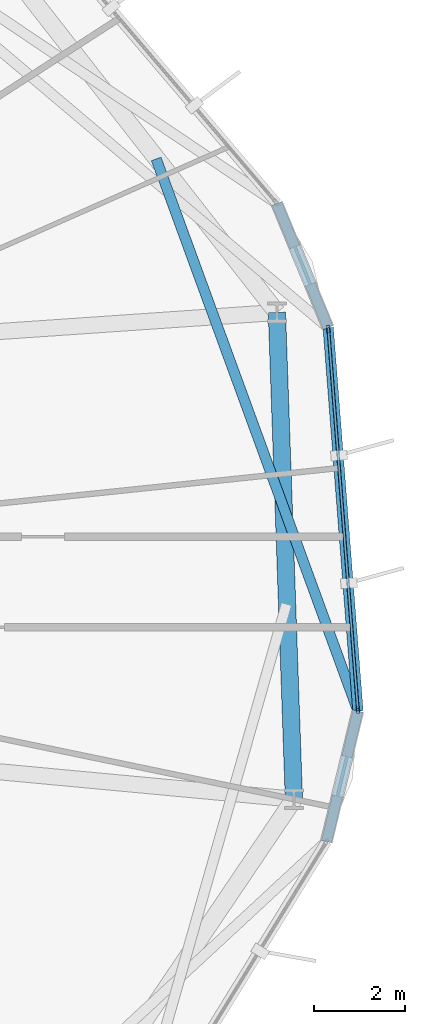
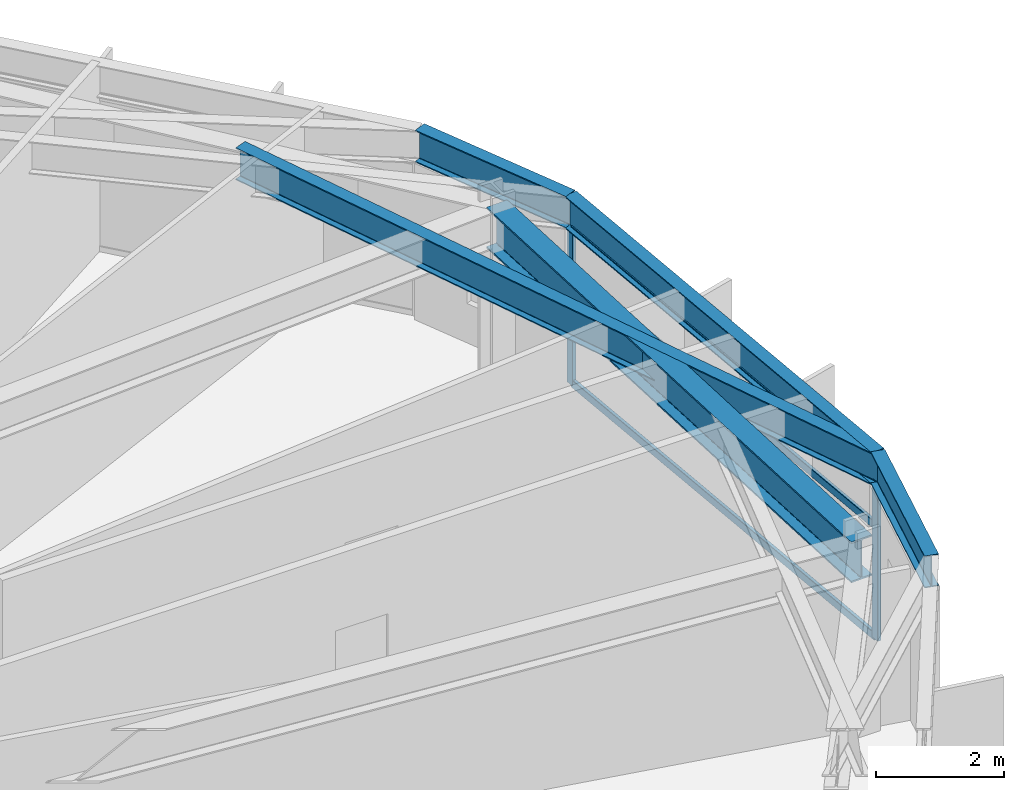
# One storey, part 10 of 21: 5 beams, 5 members, 1 element without a shape of its own.
"""IFC4 building model written with IfcOpenShell, lengths in metres."""

import ifcopenshell
import ifcopenshell.guid

model = None  # the IFC model being written
_history = None  # IfcOwnerHistory: only IFC2X3 demands one
_inside = {}  # id of a spatial element -> (the spatial element, [elements in it])
_under = {}  # id of a project, library or spatial element -> (it, [spatial elements below it])
_declared = {}  # id of a project -> (the project, [libraries it declares])
_typed = {}  # id of a type object -> (the type object, [elements of that type])
_made_of = {}  # id of a material, layer set ... -> (it, [elements and type objects made of it])


def new_model(schema):
    """Start an empty IFC model of exactly this schema.

    Asked for "IFC4X3", IfcOpenShell would pick the latest addendum, in which some entities
    have other attributes; the version numbers below select the first issue.
    IFC2X3 requires an IfcOwnerHistory on every rooted entity: one is made here for all.
    """
    global model, _history
    if schema == "IFC4X3":
        model = ifcopenshell.file(schema_version=(4, 3, 0, 0))
    else:
        model = ifcopenshell.file(schema=schema)
    _inside.clear()
    _under.clear()
    _declared.clear()
    _typed.clear()
    _made_of.clear()
    _history = None
    if model.schema == "IFC2X3":
        org = make("IfcOrganization", Name="unknown")
        user = make(
            "IfcPersonAndOrganization",
            ThePerson=make("IfcPerson", FamilyName="unknown"),
            TheOrganization=org,
        )
        app = make(
            "IfcApplication",
            ApplicationDeveloper=org,
            Version="unknown",
            ApplicationFullName="unknown",
            ApplicationIdentifier="unknown",
        )
        _history = make(
            "IfcOwnerHistory",
            OwningUser=user,
            OwningApplication=app,
            ChangeAction="ADDED",
            CreationDate=0,
        )
    return model


def make(cls, **values):
    """One entity of the class cls with the attributes given. An attribute that is None is left unset."""
    return model.create_entity(
        cls, **{name: value for name, value in values.items() if value is not None}
    )


def rooted(cls, **values):
    """An entity with a GlobalId (a new one), such as an element, a storey or a relation."""
    return make(cls, GlobalId=ifcopenshell.guid.new(), OwnerHistory=_history, **values)


def si_unit(unit_type, name, prefix=None):
    """IfcSIUnit, for example si_unit("LENGTHUNIT", "METRE", prefix="MILLI")."""
    return make("IfcSIUnit", UnitType=unit_type, Prefix=prefix, Name=name)


def assignment(units):
    """IfcUnitAssignment: the units of a project."""
    return None if units is None else make("IfcUnitAssignment", Units=units)


def point(xyz):
    """IfcCartesianPoint."""
    return None if xyz is None else make("IfcCartesianPoint", Coordinates=xyz)


def direction(xyz):
    """IfcDirection."""
    return None if xyz is None else make("IfcDirection", DirectionRatios=xyz)


def frame(location, z_axis=None, x_axis=None):
    """IfcAxis2Placement3D, a coordinate frame: its origin and axes. An axis left out is left unset."""
    return make(
        "IfcAxis2Placement3D",
        Location=point(location),
        Axis=direction(z_axis),
        RefDirection=direction(x_axis),
    )


def frame_2d(location, x_axis=None):
    """IfcAxis2Placement2D, a coordinate frame in the plane: its origin and x axis."""
    return make(
        "IfcAxis2Placement2D", Location=point(location), RefDirection=direction(x_axis)
    )


def origin():
    """The frame at (0, 0, 0) with its axes left unset."""
    return frame((0.0, 0.0, 0.0))


def origin_2d():
    """The frame at (0, 0) in the plane with its x axis left unset."""
    return frame_2d((0.0, 0.0))


def place(relative_to, where):
    """IfcLocalPlacement: puts the frame where relative to a parent placement (None: the world)."""
    return make(
        "IfcLocalPlacement", PlacementRelTo=relative_to, RelativePlacement=where
    )


def context(
    kind, dimensions, precision=None, world=None, true_north=None, identifier=None
):
    """IfcGeometricRepresentationContext, for example the 3D "Model" context."""
    return make(
        "IfcGeometricRepresentationContext",
        ContextIdentifier=identifier,
        ContextType=kind,
        CoordinateSpaceDimension=dimensions,
        Precision=precision,
        WorldCoordinateSystem=world,
        TrueNorth=true_north,
    )


def subcontext(parent, identifier, kind, view, scale=None):
    """IfcGeometricRepresentationSubContext, for example "Body" below "Model"."""
    return make(
        "IfcGeometricRepresentationSubContext",
        ContextIdentifier=identifier,
        ContextType=kind,
        ParentContext=parent,
        TargetScale=scale,
        TargetView=view,
    )


def project(units=None, contexts=None):
    """IfcProject with its units and contexts."""
    return rooted(
        "IfcProject",
        Name="project",
        RepresentationContexts=contexts,
        UnitsInContext=assignment(units),
    )


def spatial(cls, under=None, at=None, **own):
    """A site, building, storey or space (cls), placed at a placement, below another one or the project."""
    s = rooted(cls, ObjectPlacement=at, **own)
    if under is not None:
        _under.setdefault(under.id(), (under, []))[1].append(s)
    return s


def profile(cls, at=None, kind="AREA", **sizes):
    """A parametric profile (cls). Its sizes go by their IFC names, for example OverallWidth=200.0."""
    return make(cls, ProfileType=kind, Position=at, **sizes)


def hollow_rectangle(**sizes):
    """IfcRectangleHollowProfileDef."""
    return profile("IfcRectangleHollowProfileDef", **sizes)


def i_section(**sizes):
    """IfcIShapeProfileDef."""
    return profile("IfcIShapeProfileDef", **sizes)


def extrude(swept, where, along, depth):
    """IfcExtrudedAreaSolid: the profile swept, set in the frame where, extruded along a direction by depth."""
    return make(
        "IfcExtrudedAreaSolid",
        SweptArea=swept,
        Position=where,
        ExtrudedDirection=direction(along),
        Depth=depth,
    )


def shape(context_of_items, identifier, shape_type, items):
    """IfcShapeRepresentation: the items that make up one representation, for example the "Body"."""
    return make(
        "IfcShapeRepresentation",
        ContextOfItems=context_of_items,
        RepresentationIdentifier=identifier,
        RepresentationType=shape_type,
        Items=items,
    )


def material(Name=None, Category=None):
    """IfcMaterial."""
    return make("IfcMaterial", Name=Name, Category=Category)


def layer(
    of_material, thickness, ventilated=None, Name=None, Category=None, Priority=None
):
    """IfcMaterialLayer: one layer of a wall or slab, of a material (None: an air gap)."""
    return make(
        "IfcMaterialLayer",
        Material=of_material,
        LayerThickness=thickness,
        IsVentilated=ventilated,
        Name=Name,
        Category=Category,
        Priority=Priority,
    )


def layer_set(layers, Name=None):
    """IfcMaterialLayerSet."""
    return make("IfcMaterialLayerSet", MaterialLayers=layers, LayerSetName=Name)


def material_profile(
    of_material, cross_section, Name=None, Category=None, Priority=None
):
    """IfcMaterialProfile: a cross section and its material."""
    return make(
        "IfcMaterialProfile",
        Name=Name,
        Material=of_material,
        Profile=cross_section,
        Priority=Priority,
        Category=Category,
    )


def profile_set(profiles, Name=None, composite=None):
    """IfcMaterialProfileSet."""
    return make(
        "IfcMaterialProfileSet",
        Name=Name,
        MaterialProfiles=profiles,
        CompositeProfile=composite,
    )


def made_of(thing, what):
    """Note that an element or type object is made of a material, layer set ...; save() writes the relation."""
    if what is not None:
        _made_of.setdefault(what.id(), (what, []))[1].append(thing)
    return thing


def type_object(cls, material=None, **own):
    """A type object (cls), such as IfcWallType, which elements share."""
    return made_of(rooted(cls, **own), material)


def element(
    cls,
    number,
    at=None,
    inside=None,
    cuts=None,
    type_object=None,
    material=None,
    context=None,
    identifier="Body",
    shape_type=None,
    held_by="IfcProductDefinitionShape",
    body=None,
    shapes=None,
    **own,
):
    """One element of the class cls, such as IfcWall. Its Tag is "e" and its number.

    at: its placement. inside: the storey or other place that contains it. cuts: it is an
    opening in that element (IfcRelVoidsElement). A single representation is given by context,
    identifier, shape_type and body (its items); several are given by shapes. held_by: the class
    of the entity that holds the representations. save() writes the other relations.
    """
    e = rooted(cls, Tag="e%d" % number, ObjectPlacement=at, **own)
    if body is not None:
        shapes = [shape(context, identifier, shape_type, body)]
    if shapes is not None:
        e.Representation = make(held_by, Representations=shapes)
    if inside is not None:
        _inside.setdefault(inside.id(), (inside, []))[1].append(e)
    if cuts is not None:
        rooted(
            "IfcRelVoidsElement", RelatingBuildingElement=cuts, RelatedOpeningElement=e
        )
    if type_object is not None:
        _typed.setdefault(type_object.id(), (type_object, []))[1].append(e)
    return made_of(e, material)


def aggregate(whole, parts):
    """IfcRelAggregates: a whole, such as a stair, and the parts it consists of."""
    return rooted("IfcRelAggregates", RelatingObject=whole, RelatedObjects=parts)


def save(model, path):
    """Write the relations noted so far, then the file.

    IfcRelAggregates (storeys below a building ...), IfcRelContainedInSpatialStructure (elements
    in a storey), IfcRelDefinesByType, IfcRelAssociatesMaterial and IfcRelDeclares: one each for
    every whole, place, type object, material and project.
    """
    for whole, parts in _under.values():
        aggregate(whole, parts)
    for where, things in _inside.values():
        rooted(
            "IfcRelContainedInSpatialStructure",
            RelatedElements=things,
            RelatingStructure=where,
        )
    for kind, things in _typed.values():
        rooted("IfcRelDefinesByType", RelatedObjects=things, RelatingType=kind)
    for what, things in _made_of.values():
        rooted("IfcRelAssociatesMaterial", RelatedObjects=things, RelatingMaterial=what)
    for by, libraries in _declared.values():
        rooted("IfcRelDeclares", RelatingContext=by, RelatedDefinitions=libraries)
    model.write(path)


model = new_model("IFC4")

# Units and contexts
model_context = context("Model", 3, precision=1e-05, world=origin(), true_north=direction((0.0, 1.0)))
body_context = subcontext(model_context, "Body", "Model", "MODEL_VIEW")
ifc_project = project(units=[si_unit("LENGTHUNIT", "METRE"), si_unit("AREAUNIT", "SQUARE_METRE"), si_unit("VOLUMEUNIT", "CUBIC_METRE"), si_unit("PLANEANGLEUNIT", "RADIAN"), si_unit("MASSUNIT", "GRAM", prefix="KILO")], contexts=[model_context])

# Site, building, storey
site_placement = place(None, origin())
site = spatial("IfcSite", under=ifc_project, at=site_placement, CompositionType="ELEMENT")
building_placement = place(site_placement, origin())
building = spatial("IfcBuilding", under=site, at=building_placement, Name="Soratama Intermodal Tower", CompositionType="ELEMENT")
storey_placement = place(building_placement, frame((0.0, 0.0, 114.699951171875)))
storey = spatial("IfcBuildingStorey", under=building, at=storey_placement, Name="L27", CompositionType="ELEMENT", Elevation=114.699951171875)

# Beams
ifc_material_1 = material(Name="Structural steel ASTM A992 Grade 50", Category="steel")
ifc_material_profile_1 = material_profile(ifc_material_1, i_section(OverallWidth=0.382080078125, OverallDepth=0.779052734375, WebThickness=0.01806640625, FlangeThickness=0.030029296875, FilletRadius=0.01806640625, at=origin_2d()), Name="W30X191")
ifc_profile_set_1 = profile_set([ifc_material_profile_1], Name="Structural steel ASTM A992 Grade 50")
beam_type_1 = type_object("IfcBeamType", Name="BM-RING-W30X191", PredefinedType="BEAM", material=ifc_profile_set_1)
beam_1_placement = place(storey_placement, frame((61.72607421875, 20.2041015625, 3.21044921875), z_axis=(-0.034872799059, 0.999391758964, 0.0), x_axis=(-0.999391758964, -0.034872799059, 0.0)))
element("IfcBeam", 1, at=beam_1_placement, inside=storey, type_object=beam_type_1, Name="BM-L27-RING-10", PredefinedType="BEAM", context=body_context, shape_type="SweptSolid", body=[
    extrude(i_section(OverallWidth=0.382080078125, OverallDepth=0.779052734375, WebThickness=0.01806640625, FlangeThickness=0.030029296875, FilletRadius=0.01806640625, at=origin_2d()), origin(), (0.0, 0.0, 1.0), 10.75341796875),
])
ifc_material_2 = material(Name="Structural steel ASTM A992 Grade 50", Category="steel")
ifc_material_profile_2 = material_profile(ifc_material_2, i_section(OverallWidth=0.22900390625, OverallDepth=0.612060546875, WebThickness=0.011962890625, FlangeThickness=0.01953125, FilletRadius=0.012939453125, at=origin_2d()), Name="W24X84")
ifc_profile_set_2 = profile_set([ifc_material_profile_2], Name="Structural steel ASTM A992 Grade 50")
beam_type_2 = type_object("IfcBeamType", Name="BM-SPN-W24X84", PredefinedType="SPANDREL", material=ifc_profile_set_2)
beam_2_placement = place(storey_placement, frame((62.446044921875, 19.26708984375, 3.2939453125), z_axis=(0.234391040353, 0.972142397081, 0.0), x_axis=(-0.972142397081, 0.234391040353, 0.0)))
element("IfcBeam", 2, at=beam_2_placement, inside=storey, type_object=beam_type_2, Name="BS-L27-CRN09", PredefinedType="SPANDREL", context=body_context, shape_type="SweptSolid", body=[
    extrude(i_section(OverallWidth=0.22900390625, OverallDepth=0.612060546875, WebThickness=0.011962890625, FlangeThickness=0.01953125, FilletRadius=0.012939453125, at=origin_2d()), origin(), (0.0, 0.0, 1.0), 2.96533203125),
])
beam_3_placement = place(storey_placement, frame((63.14111328125, 22.14990234375, 3.2939453125), z_axis=(-0.077397836495, 0.997000288318, 0.0), x_axis=(-0.997000288318, -0.077397836495, 0.0)))
element("IfcBeam", 3, at=beam_3_placement, inside=storey, type_object=beam_type_2, Name="BS-L27-F10", PredefinedType="SPANDREL", context=body_context, shape_type="SweptSolid", body=[
    extrude(i_section(OverallWidth=0.22900390625, OverallDepth=0.612060546875, WebThickness=0.011962890625, FlangeThickness=0.01953125, FilletRadius=0.012939453125, at=origin_2d()), origin(), (0.0, 0.0, 1.0), 8.491455078125),
])
beam_4_placement = place(storey_placement, frame((62.48388671875, 30.615966796875, 3.2939453125), z_axis=(-0.381838093578, 0.924229230382, 0.0), x_axis=(-0.924229230382, -0.381838093578, 0.0)))
element("IfcBeam", 4, at=beam_4_placement, inside=storey, type_object=beam_type_2, Name="BS-L27-CRN10", PredefinedType="SPANDREL", context=body_context, shape_type="SweptSolid", body=[
    extrude(i_section(OverallWidth=0.22900390625, OverallDepth=0.612060546875, WebThickness=0.011962890625, FlangeThickness=0.01953125, FilletRadius=0.012939453125, at=origin_2d()), origin(), (0.0, 0.0, 1.0), 2.966796875),
])
ifc_material_3 = material(Name="Structural steel ASTM A992 Grade 50", Category="steel")
ifc_material_profile_3 = material_profile(ifc_material_3, i_section(OverallWidth=0.22900390625, OverallDepth=0.612060546875, WebThickness=0.011962890625, FlangeThickness=0.01953125, FilletRadius=0.012939453125, at=origin_2d()), Name="W24X84")
ifc_profile_set_3 = profile_set([ifc_material_profile_3], Name="Structural steel ASTM A992 Grade 50")
beam_type_3 = type_object("IfcBeamType", Name="BM-TIE-W24X84", PredefinedType="BEAM", material=ifc_profile_set_3)
beam_5_placement = place(storey_placement, frame((58.68603515625, 34.341064453125, 3.2939453125), z_axis=(0.343234756806, -0.939249648241, 0.0), x_axis=(0.939249648241, 0.343234756806, 0.0)))
element("IfcBeam", 5, at=beam_5_placement, inside=storey, type_object=beam_type_3, Name="BM-L27-TIE0-10", PredefinedType="BEAM", context=body_context, shape_type="SweptSolid", body=[
    extrude(i_section(OverallWidth=0.22900390625, OverallDepth=0.612060546875, WebThickness=0.011962890625, FlangeThickness=0.01953125, FilletRadius=0.012939453125, at=origin_2d()), origin(), (0.0, 0.0, 1.0), 12.979736328125),
])

# Curtain wall, members
ifc_material_4 = material(Name="Double-glazed aluminium curtain wall", Category="aluminium")
ifc_layer = layer(ifc_material_4, 0.159912109375)
ifc_layer_set = layer_set([ifc_layer], Name="Double-glazed aluminium curtain wall")
curtain_wall_type = type_object("IfcCurtainWallType", Name="CW-SYS-3", PredefinedType="NOTDEFINED", material=ifc_layer_set)
curtain_wall_placement = place(storey_placement, origin())
curtain_wall = element("IfcCurtainWall", 6, at=curtain_wall_placement, inside=storey, type_object=curtain_wall_type, Name="L27 Faceted Curtain Wall F10", PredefinedType="NOTDEFINED")
ifc_material_5 = material(Name="Anodised aluminium AA 6063-T6", Category="aluminium")
ifc_material_profile_4 = material_profile(ifc_material_5, hollow_rectangle(XDim=0.070068359375, YDim=0.159912109375, WallThickness=0.0048828125, InnerFilletRadius=0.0048828125, OuterFilletRadius=0.010009765625, at=origin_2d()), Name="CWM160X70X5")
ifc_profile_set_4 = profile_set([ifc_material_profile_4], Name="Anodised aluminium AA 6063-T6")
member_type_1 = type_object("IfcMemberType", Name="MT-CWM-3", PredefinedType="MULLION", material=ifc_profile_set_4)
member_1_placement = place(storey_placement, frame((63.138671875, 22.180419921875, 0.0), z_axis=(0.0, 0.0, 1.0), x_axis=(-0.996999152025, -0.077412472257, 0.0)))
member_1 = element("IfcMember", 7, at=member_1_placement, type_object=member_type_1, Name="CW-3 mullion 1", PredefinedType="MULLION", context=body_context, shape_type="SweptSolid", body=[
    extrude(hollow_rectangle(XDim=0.070068359375, YDim=0.159912109375, WallThickness=0.0048828125, InnerFilletRadius=0.0048828125, OuterFilletRadius=0.010009765625, at=origin_2d()), origin(), (0.0, 0.0, 1.0), 2.97900390625),
])
member_2_placement = place(storey_placement, frame((62.486083984375, 30.5859375, 0.0), z_axis=(0.0, 0.0, 1.0), x_axis=(-0.996999152025, -0.077412472257, 0.0)))
member_2 = element("IfcMember", 8, at=member_2_placement, type_object=member_type_1, Name="CW-3 mullion 2", PredefinedType="MULLION", context=body_context, shape_type="SweptSolid", body=[
    extrude(hollow_rectangle(XDim=0.070068359375, YDim=0.159912109375, WallThickness=0.0048828125, InnerFilletRadius=0.0048828125, OuterFilletRadius=0.010009765625, at=origin_2d()), origin(), (0.0, 0.0, 1.0), 2.97900390625),
])
ifc_material_6 = material(Name="Anodised aluminium AA 6063-T6", Category="aluminium")
ifc_material_profile_5 = material_profile(ifc_material_6, hollow_rectangle(XDim=0.06494140625, YDim=0.14990234375, WallThickness=0.0048828125, InnerFilletRadius=0.0048828125, OuterFilletRadius=0.010009765625, at=origin_2d()), Name="CWT150X65X5")
ifc_profile_set_5 = profile_set([ifc_material_profile_5], Name="Anodised aluminium AA 6063-T6")
member_type_2 = type_object("IfcMemberType", Name="TT-CWT-1", PredefinedType="USERDEFINED", material=ifc_profile_set_5)
member_3_placement = place(storey_placement, frame((63.136474609375, 22.210205078125, 0.030029296875), z_axis=(-0.077405720244, 0.996999676266, 0.0), x_axis=(-0.996999676266, -0.077405720244, 0.0)))
member_3 = element("IfcMember", 9, at=member_3_placement, type_object=member_type_2, Name="CW-3 transom 1.1", ObjectType="TRANSOM", PredefinedType="USERDEFINED", context=body_context, shape_type="SweptSolid", body=[
    extrude(hollow_rectangle(XDim=0.06494140625, YDim=0.14990234375, WallThickness=0.0048828125, InnerFilletRadius=0.0048828125, OuterFilletRadius=0.010009765625, at=origin_2d()), origin(), (0.0, 0.0, 1.0), 8.370849609375),
])
member_4_placement = place(storey_placement, frame((63.136474609375, 22.210205078125, 2.150146484375), z_axis=(-0.077405720244, 0.996999676266, 0.0), x_axis=(-0.996999676266, -0.077405720244, 0.0)))
member_4 = element("IfcMember", 10, at=member_4_placement, type_object=member_type_2, Name="CW-3 transom 1.2", ObjectType="TRANSOM", PredefinedType="USERDEFINED", context=body_context, shape_type="SweptSolid", body=[
    extrude(hollow_rectangle(XDim=0.06494140625, YDim=0.14990234375, WallThickness=0.0048828125, InnerFilletRadius=0.0048828125, OuterFilletRadius=0.010009765625, at=origin_2d()), origin(), (0.0, 0.0, 1.0), 8.370849609375),
])
member_5_placement = place(storey_placement, frame((63.136474609375, 22.210205078125, 2.948974609375), z_axis=(-0.077405720244, 0.996999676266, 0.0), x_axis=(-0.996999676266, -0.077405720244, 0.0)))
member_5 = element("IfcMember", 11, at=member_5_placement, type_object=member_type_2, Name="CW-3 transom 1.3", ObjectType="TRANSOM", PredefinedType="USERDEFINED", context=body_context, shape_type="SweptSolid", body=[
    extrude(hollow_rectangle(XDim=0.06494140625, YDim=0.14990234375, WallThickness=0.0048828125, InnerFilletRadius=0.0048828125, OuterFilletRadius=0.010009765625, at=origin_2d()), origin(), (0.0, 0.0, 1.0), 8.370849609375),
])
aggregate(curtain_wall, [member_1, member_2, member_3, member_4, member_5])

save(model, "model.ifc")
